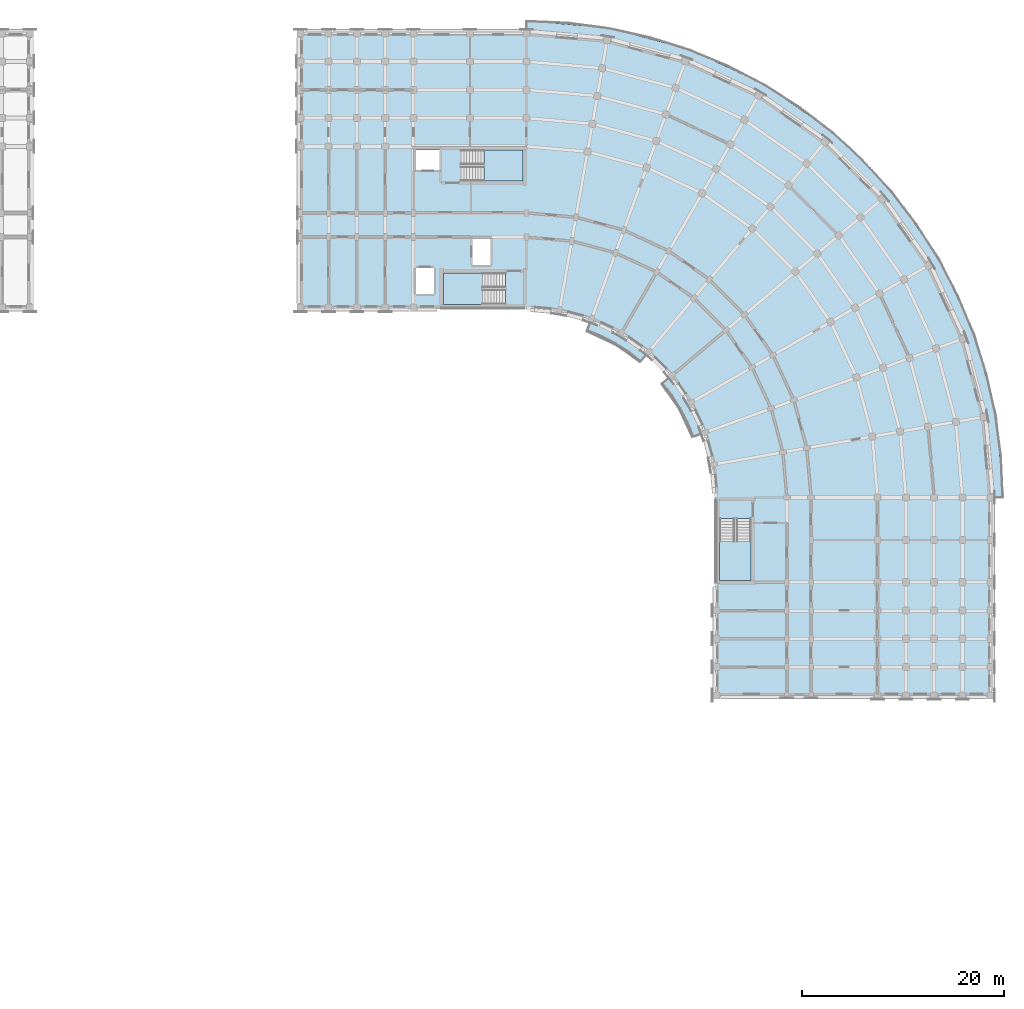
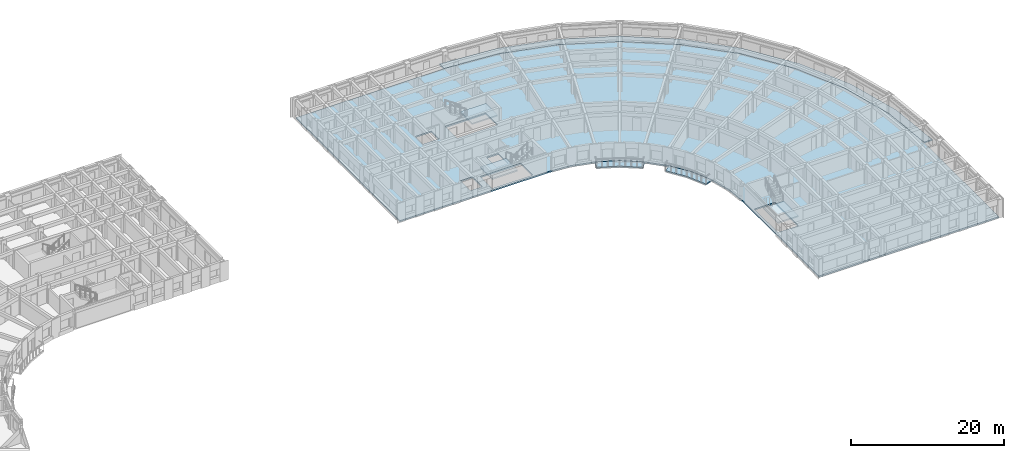
# One storey, part 16 of 57: 7 slabs, 3 elements without a shape of their own.
"""IFC4 building model written with IfcOpenShell, lengths in metres."""

from ifc_helpers import new_model, si_unit, direction, frame, origin, place, context, subcontext, project, spatial, polyline, outline, extrude, material, layer, layer_set, type_object, element, aggregate, save


model = new_model("IFC4")

# Units and contexts
model_context = context("Model", 3, precision=1e-05, world=origin(), true_north=direction((0.0, 1.0)))
body_context = subcontext(model_context, "Body", "Model", "MODEL_VIEW")
ifc_project = project(units=[si_unit("LENGTHUNIT", "METRE"), si_unit("AREAUNIT", "SQUARE_METRE"), si_unit("VOLUMEUNIT", "CUBIC_METRE"), si_unit("PLANEANGLEUNIT", "RADIAN"), si_unit("MASSUNIT", "GRAM", prefix="KILO")], contexts=[model_context])

# Site, building, storey
site_placement = place(None, origin())
site = spatial("IfcSite", under=ifc_project, at=site_placement, CompositionType="ELEMENT")
building_placement = place(site_placement, origin())
building = spatial("IfcBuilding", under=site, at=building_placement, Name="Kiranvali Square Residences", CompositionType="ELEMENT")
storey_placement = place(building_placement, frame((0.0, 0.0, 21.300048828125)))
storey = spatial("IfcBuildingStorey", under=building, at=storey_placement, Name="L06", CompositionType="ELEMENT", Elevation=21.300048828125)

# Slabs
ifc_material = material(Name="Concrete M35 (35 MPa)", Category="concrete")
ifc_layer_1 = layer(ifc_material, 0.179931640625)
ifc_layer_set_1 = layer_set([ifc_layer_1], Name="Concrete M35 (35 MPa)")
slab_type_1 = type_object("IfcSlabType", Name="SLB-BAL-180", PredefinedType="FLOOR", material=ifc_layer_set_1)
slab_1_placement = place(storey_placement, frame((0.0, 0.0, -0.179931640625)))
element("IfcSlab", 1, at=slab_1_placement, inside=storey, type_object=slab_type_1, Name="Block B L06 continuous curved corner balcony slab", PredefinedType="FLOOR", context=body_context, shape_type="SweptSolid", body=[
    extrude(outline(polyline([(119.800048828125, 133.800048828125), (127.787841796875, 133.10107421875), (135.532958984375, 131.02587890625), (142.800048828125, 127.63720703125), (149.3681640625, 123.0380859375), (155.0380859375, 117.3681640625), (159.63720703125, 110.800048828125), (163.02587890625, 103.532958984375), (165.10107421875, 95.787841796875), (165.800048828125, 87.800048828125), (167.050048828125, 87.800048828125), (166.332275390625, 96.0048828125), (164.200439453125, 103.96044921875), (160.7197265625, 111.425048828125), (155.99560546875, 118.171630859375), (150.171630859375, 123.99560546875), (143.425048828125, 128.7197265625), (135.96044921875, 132.200439453125), (128.0048828125, 134.332275390625), (119.800048828125, 135.050048828125), (119.800048828125, 133.800048828125)])), origin(), (0.0, 0.0, 1.0), 0.179931640625),
])
ifc_layer_2 = layer(ifc_material, 0.219970703125)
ifc_layer_set_2 = layer_set([ifc_layer_2], Name="Concrete M35 (35 MPa)")
slab_type_2 = type_object("IfcSlabType", Name="SLB-FLR-220", PredefinedType="FLOOR", material=ifc_layer_set_2)
slab_2_placement = place(storey_placement, frame((0.0, 0.0, -0.219970703125)))
element("IfcSlab", 2, at=slab_2_placement, inside=storey, type_object=slab_type_2, Name="Block B L06 structural floor slab", PredefinedType="FLOOR", context=body_context, shape_type="SweptSolid", body=[
    extrude(outline(polyline([(119.800048828125, 106.60009765625), (123.064697265625, 106.314453125), (126.22998046875, 105.46630859375), (129.199951171875, 104.081298828125), (131.884521484375, 102.20166015625), (134.20166015625, 99.884521484375), (136.081298828125, 97.199951171875), (137.46630859375, 94.22998046875), (138.314453125, 91.064697265625), (138.60009765625, 87.800048828125), (138.60009765625, 68.199951171875), (165.800048828125, 68.199951171875), (165.800048828125, 87.800048828125), (165.10107421875, 95.787841796875), (163.02587890625, 103.532958984375), (159.63720703125, 110.800048828125), (155.0380859375, 117.3681640625), (149.3681640625, 123.0380859375), (142.800048828125, 127.63720703125), (135.532958984375, 131.02587890625), (127.787841796875, 133.10107421875), (119.800048828125, 133.800048828125), (97.39990234375, 133.800048828125), (97.39990234375, 106.60009765625), (119.800048828125, 106.60009765625)]), holes=[polyline([(108.75, 120.25), (111.199951171875, 120.25), (111.199951171875, 122.25), (108.75, 122.25), (108.75, 120.25)]), polyline([(108.85009765625, 107.949951171875), (110.64990234375, 107.949951171875), (110.64990234375, 110.550048828125), (108.85009765625, 110.550048828125), (108.85009765625, 107.949951171875)]), polyline([(114.449951171875, 110.85009765625), (116.25, 110.85009765625), (116.25, 113.449951171875), (114.449951171875, 113.449951171875), (114.449951171875, 110.85009765625)]), polyline([(113.300048828125, 119.14990234375), (119.449951171875, 119.14990234375), (119.449951171875, 122.25), (113.300048828125, 122.25), (113.300048828125, 119.14990234375)]), polyline([(117.699951171875, 110.050048828125), (111.550048828125, 110.050048828125), (111.550048828125, 106.949951171875), (117.699951171875, 106.949951171875), (117.699951171875, 110.050048828125)]), polyline([(138.949951171875, 85.699951171875), (138.949951171875, 79.550048828125), (142.050048828125, 79.550048828125), (142.050048828125, 85.699951171875), (138.949951171875, 85.699951171875)])]), origin(), (0.0, 0.0, 1.0), 0.219970703125),
])
ifc_layer_3 = layer(ifc_material, 0.169921875)
ifc_layer_set_3 = layer_set([ifc_layer_3], Name="Concrete M35 (35 MPa)")
slab_type_3 = type_object("IfcSlabType", Name="SLB-GBAL-170", PredefinedType="FLOOR", material=ifc_layer_set_3)
slab_3_placement = place(storey_placement, frame((0.0, 0.0, -0.179931640625)))
element("IfcSlab", 3, at=slab_3_placement, inside=storey, type_object=slab_type_3, Name="Block B L06 garden balcony slab 1", PredefinedType="FLOOR", context=body_context, shape_type="SweptSolid", body=[
    extrude(outline(polyline([(125.802490234375, 104.29150390625), (128.574951171875, 102.998779296875), (131.080810546875, 101.244140625), (131.884521484375, 102.20166015625), (129.199951171875, 104.081298828125), (126.22998046875, 105.46630859375), (125.802490234375, 104.29150390625)])), origin(), (0.0, 0.0, 1.0), 0.179931640625),
])
slab_4_placement = place(storey_placement, frame((0.0, 0.0, -0.179931640625)))
element("IfcSlab", 4, at=slab_4_placement, inside=storey, type_object=slab_type_3, Name="Block B L06 garden balcony slab 2", PredefinedType="FLOOR", context=body_context, shape_type="SweptSolid", body=[
    extrude(outline(polyline([(133.244140625, 99.080810546875), (134.998779296875, 96.574951171875), (136.29150390625, 93.802490234375), (137.46630859375, 94.22998046875), (136.081298828125, 97.199951171875), (134.20166015625, 99.884521484375), (133.244140625, 99.080810546875)])), origin(), (0.0, 0.0, 1.0), 0.179931640625),
])

# Stair, slab
stair_type = type_object("IfcStairType", Name="ST-CORE-1700", PredefinedType="HALF_TURN_STAIR", material=ifc_material)
stair_1_placement = place(storey_placement, origin())
stair_1 = element("IfcStair", 5, at=stair_1_placement, inside=storey, type_object=stair_type, Name="L06 Block B Firefighting Exit Stair 1", PredefinedType="HALF_TURN_STAIR")
ifc_layer_4 = layer(ifc_material, 0.199951171875)
ifc_layer_set_4 = layer_set([ifc_layer_4], Name="Concrete M35 (35 MPa)")
slab_type_4 = type_object("IfcSlabType", Name="SLB-LND-200", PredefinedType="LANDING", material=ifc_layer_set_4)
slab_5_placement = place(storey_placement, frame((0.0, 0.0, 1.375)))
slab_5 = element("IfcSlab", 6, at=slab_5_placement, type_object=slab_type_4, Name="ST-B1 landing 1", PredefinedType="LANDING", context=body_context, shape_type="SweptSolid", body=[
    extrude(outline(polyline([(115.580078125, 119.14990234375), (119.449951171875, 119.14990234375), (119.449951171875, 122.25), (115.580078125, 122.25), (115.580078125, 119.14990234375)])), origin(), (0.0, 0.0, 1.0), 0.199951171875),
])
aggregate(stair_1, [slab_5])

stair_2_placement = place(storey_placement, origin())
stair_2 = element("IfcStair", 7, at=stair_2_placement, inside=storey, type_object=stair_type, Name="L06 Block B Protected Exit Stair 2", PredefinedType="HALF_TURN_STAIR")
slab_6_placement = place(storey_placement, frame((0.0, 0.0, 1.375)))
slab_6 = element("IfcSlab", 8, at=slab_6_placement, type_object=slab_type_4, Name="ST-B2 landing 1", PredefinedType="LANDING", context=body_context, shape_type="SweptSolid", body=[
    extrude(outline(polyline([(115.419921875, 110.050048828125), (111.550048828125, 110.050048828125), (111.550048828125, 106.949951171875), (115.419921875, 106.949951171875), (115.419921875, 110.050048828125)])), origin(), (0.0, 0.0, 1.0), 0.199951171875),
])
aggregate(stair_2, [slab_6])

stair_3_placement = place(storey_placement, origin())
stair_3 = element("IfcStair", 9, at=stair_3_placement, inside=storey, type_object=stair_type, Name="L06 Block B Wing Protected Exit Stair 3", PredefinedType="HALF_TURN_STAIR")
slab_7_placement = place(storey_placement, frame((0.0, 0.0, 1.375)))
slab_7 = element("IfcSlab", 10, at=slab_7_placement, type_object=slab_type_4, Name="ST-B3 landing 1", PredefinedType="LANDING", context=body_context, shape_type="SweptSolid", body=[
    extrude(outline(polyline([(138.949951171875, 83.419921875), (138.949951171875, 79.550048828125), (142.050048828125, 79.550048828125), (142.050048828125, 83.419921875), (138.949951171875, 83.419921875)])), origin(), (0.0, 0.0, 1.0), 0.199951171875),
])
aggregate(stair_3, [slab_7])

save(model, "model.ifc")
